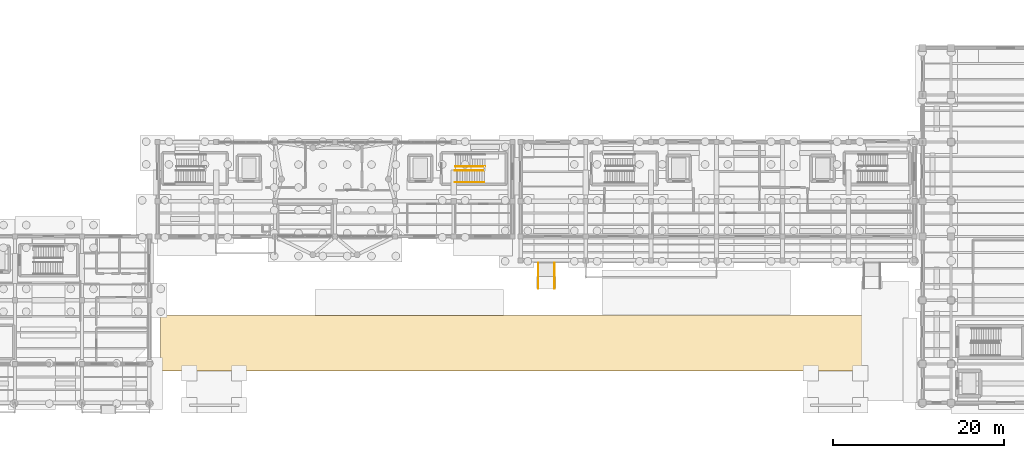
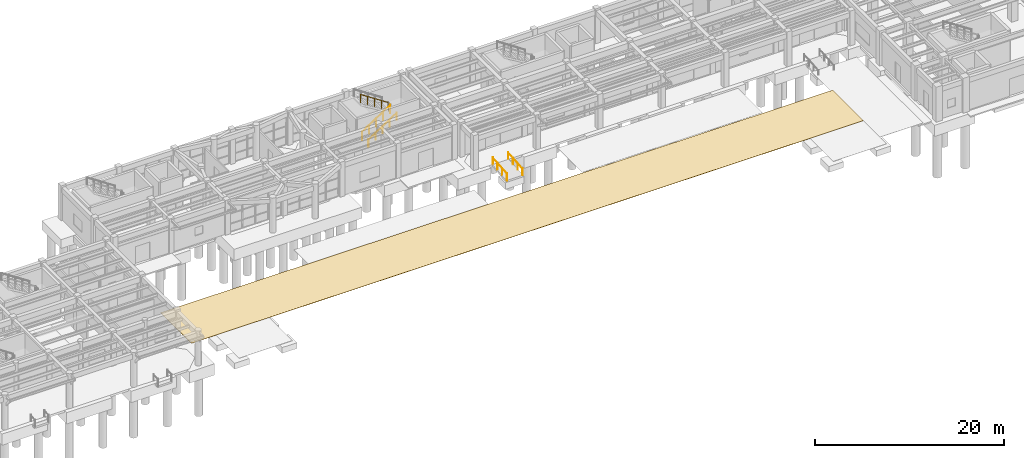
# One storey, part 37 of 41: 5 railings, 1 covering.
"""IFC4 building model written with IfcOpenShell, lengths in metres."""

from ifc_helpers import new_model, si_unit, direction, frame, origin, origin_2d, place, context, subcontext, project, spatial, rectangle, circle, extrude, material, layer, layer_set, type_object, element, save


model = new_model("IFC4")

# Units and contexts
model_context = context("Model", 3, precision=1e-05, world=origin(), true_north=direction((0.0, 1.0)))
body_context = subcontext(model_context, "Body", "Model", "MODEL_VIEW")
ifc_project = project(units=[si_unit("LENGTHUNIT", "METRE"), si_unit("AREAUNIT", "SQUARE_METRE"), si_unit("VOLUMEUNIT", "CUBIC_METRE"), si_unit("PLANEANGLEUNIT", "RADIAN"), si_unit("MASSUNIT", "GRAM", prefix="KILO")], contexts=[model_context])

# Site, building, storey
site_placement = place(None, origin())
site = spatial("IfcSite", under=ifc_project, at=site_placement, CompositionType="ELEMENT")
building_placement = place(site_placement, origin())
building = spatial("IfcBuilding", under=site, at=building_placement, Name="Candilejo Ridge Gondola Terminal", CompositionType="ELEMENT")
storey_placement = place(building_placement, origin())
storey = spatial("IfcBuildingStorey", under=building, at=storey_placement, Name="L00", CompositionType="ELEMENT", Elevation=0.0)

# Railings
ifc_material_1 = material(Name="Brushed stainless steel AISI 316", Category="steel")
railing_type_1 = type_object("IfcRailingType", Name="ARC-RAMP-HANDRAIL-920", PredefinedType="HANDRAIL", material=ifc_material_1)
for number, where, name in (
    (1, (89.06005859375, 19.60009765625, -0.239990234375), "Ramp handrail RM-04-W"),
    (2, (90.93994140625, 19.60009765625, -0.239990234375), "Ramp handrail RM-04-E"),
):
    element("IfcRailing", number, at=place(storey_placement, frame(where)), inside=storey, type_object=railing_type_1, Name=name, PredefinedType="HANDRAIL", context=body_context, shape_type="SweptSolid", body=[
        extrude(circle(Radius=0.02392578125, at=origin_2d()), frame((0.0, 0.0, 0.89599609375), z_axis=(0.0, 0.996815536467, 0.079741998075), x_axis=(-1.0, 0.0, 0.0)), (0.0, 0.0, 1.0), 3.009521484375),
        extrude(circle(Radius=0.02099609375, at=origin_2d()), origin(), (0.0, 0.0, 1.0), 0.871826171875),
        extrude(circle(Radius=0.02099609375, at=origin_2d()), frame((0.0, 1.0, 0.080078125)), (0.0, 0.0, 1.0), 0.871826171875),
        extrude(circle(Radius=0.02099609375, at=origin_2d()), frame((0.0, 2.0, 0.159912109375)), (0.0, 0.0, 1.0), 0.871826171875),
        extrude(circle(Radius=0.02099609375, at=origin_2d()), frame((0.0, 3.0, 0.239990234375)), (0.0, 0.0, 1.0), 0.871826171875),
    ])
ifc_material_2 = material(Name="Hot-dip galvanised steel ASTM A500 Grade B", Category="steel")
railing_type_2 = type_object("IfcRailingType", Name="ARC-STAIR-GUARD-1100", PredefinedType="GUARDRAIL", material=ifc_material_2)
railing_1_placement = place(storey_placement, frame((79.35009765625, 33.385009765625, 0.0)))
element("IfcRailing", 3, at=railing_1_placement, inside=storey, type_object=railing_type_2, Name="Flight well guard ST-V2B-F01", PredefinedType="GUARDRAIL", context=body_context, shape_type="SweptSolid", body=[
    extrude(circle(Radius=0.02392578125, at=origin_2d()), frame((0.0, 0.0, 1.076171875), z_axis=(0.835411317272, 0.0, 0.549625264133), x_axis=(0.0, 1.0, 0.0)), (0.0, 0.0, 1.0), 4.09375),
    extrude(circle(Radius=0.02099609375, at=origin_2d()), origin(), (0.0, 0.0, 1.0), 1.052001953125),
    extrude(circle(Radius=0.02099609375, at=origin_2d()), frame((0.85498046875, 0.0, 0.5625)), (0.0, 0.0, 1.0), 1.052001953125),
    extrude(circle(Radius=0.02099609375, at=origin_2d()), frame((1.7099609375, 0.0, 1.125)), (0.0, 0.0, 1.0), 1.052001953125),
    extrude(circle(Radius=0.02099609375, at=origin_2d()), frame((2.56494140625, 0.0, 1.6875)), (0.0, 0.0, 1.0), 1.052001953125),
    extrude(circle(Radius=0.02099609375, at=origin_2d()), frame((3.419921875, 0.0, 2.25)), (0.0, 0.0, 1.0), 1.052001953125),
])
railing_2_placement = place(storey_placement, frame((82.830078125, 33.864990234375, 2.25)))
element("IfcRailing", 4, at=railing_2_placement, inside=storey, type_object=railing_type_2, Name="Flight well guard ST-V2B-F02", PredefinedType="GUARDRAIL", context=body_context, shape_type="SweptSolid", body=[
    extrude(circle(Radius=0.02392578125, at=origin_2d()), frame((0.0, 0.0, 1.076171875), z_axis=(-0.835429331894, 0.0, 0.549597881557), x_axis=(0.0, -1.0, 0.0)), (0.0, 0.0, 1.0), 4.093994140625),
    extrude(circle(Radius=0.02099609375, at=origin_2d()), origin(), (0.0, 0.0, 1.0), 1.052001953125),
    extrude(circle(Radius=0.02099609375, at=origin_2d()), frame((-0.85498046875, 0.0, 0.5625)), (0.0, 0.0, 1.0), 1.052001953125),
    extrude(circle(Radius=0.02099609375, at=origin_2d()), frame((-1.7099609375, 0.0, 1.125)), (0.0, 0.0, 1.0), 1.052001953125),
    extrude(circle(Radius=0.02099609375, at=origin_2d()), frame((-2.565185546875, 0.0, 1.6875)), (0.0, 0.0, 1.0), 1.052001953125),
    extrude(circle(Radius=0.02099609375, at=origin_2d()), frame((-3.420166015625, 0.0, 2.25)), (0.0, 0.0, 1.0), 1.052001953125),
])
ifc_material_3 = material(Name="Brushed stainless steel AISI 316", Category="steel")
railing_type_3 = type_object("IfcRailingType", Name="ARC-STAIR-HANDRAIL-920", PredefinedType="HANDRAIL", material=ifc_material_3)
railing_3_placement = place(storey_placement, frame((79.35009765625, 32.014892578125, 0.0)))
element("IfcRailing", 5, at=railing_3_placement, inside=storey, type_object=railing_type_3, Name="Wall handrail ST-V2B-F01", PredefinedType="HANDRAIL", context=body_context, shape_type="SweptSolid", body=[
    extrude(circle(Radius=0.02392578125, at=origin_2d()), frame((0.0, 0.0, 0.89599609375), z_axis=(0.835411317272, 0.0, 0.549625264133), x_axis=(0.0, 1.0, 0.0)), (0.0, 0.0, 1.0), 4.09375),
    extrude(circle(Radius=0.02099609375, at=origin_2d()), origin(), (0.0, 0.0, 1.0), 0.871826171875),
    extrude(circle(Radius=0.02099609375, at=origin_2d()), frame((0.85498046875, 0.0, 0.5625)), (0.0, 0.0, 1.0), 0.871826171875),
    extrude(circle(Radius=0.02099609375, at=origin_2d()), frame((1.7099609375, 0.0, 1.125)), (0.0, 0.0, 1.0), 0.871826171875),
    extrude(circle(Radius=0.02099609375, at=origin_2d()), frame((2.56494140625, 0.0, 1.6875)), (0.0, 0.0, 1.0), 0.871826171875),
    extrude(circle(Radius=0.02099609375, at=origin_2d()), frame((3.419921875, 0.0, 2.25)), (0.0, 0.0, 1.0), 0.871826171875),
])

# Covering
ifc_material_4 = material(Name="Heavy-duty polymer-modified asphalt busway wearing course", Category="asphalt")
ifc_layer = layer(ifc_material_4, 0.030029296875)
ifc_layer_set = layer_set([ifc_layer], Name="CIV-COV-BUSWAY-ASPHALT")
covering_type = type_object("IfcCoveringType", Name="CIV-COV-BUSWAY-ASPHALT", PredefinedType="USERDEFINED", material=ifc_layer_set)
covering_placement = place(storey_placement, frame((86.0, 13.25, -0.02978515625), z_axis=(0.0, 0.0, 1.0), x_axis=(1.0, 0.0, 0.0)))
element("IfcCovering", 6, at=covering_placement, inside=storey, type_object=covering_type, Name="Transit busway asphalt wearing course RD-LOOP-S", ObjectType="ROADWAY", PredefinedType="USERDEFINED", context=body_context, shape_type="SweptSolid", body=[
    extrude(rectangle(XDim=82.0, YDim=6.5, at=origin_2d()), origin(), (0.0, 0.0, 1.0), 0.030029296875),
])

save(model, "model.ifc")
